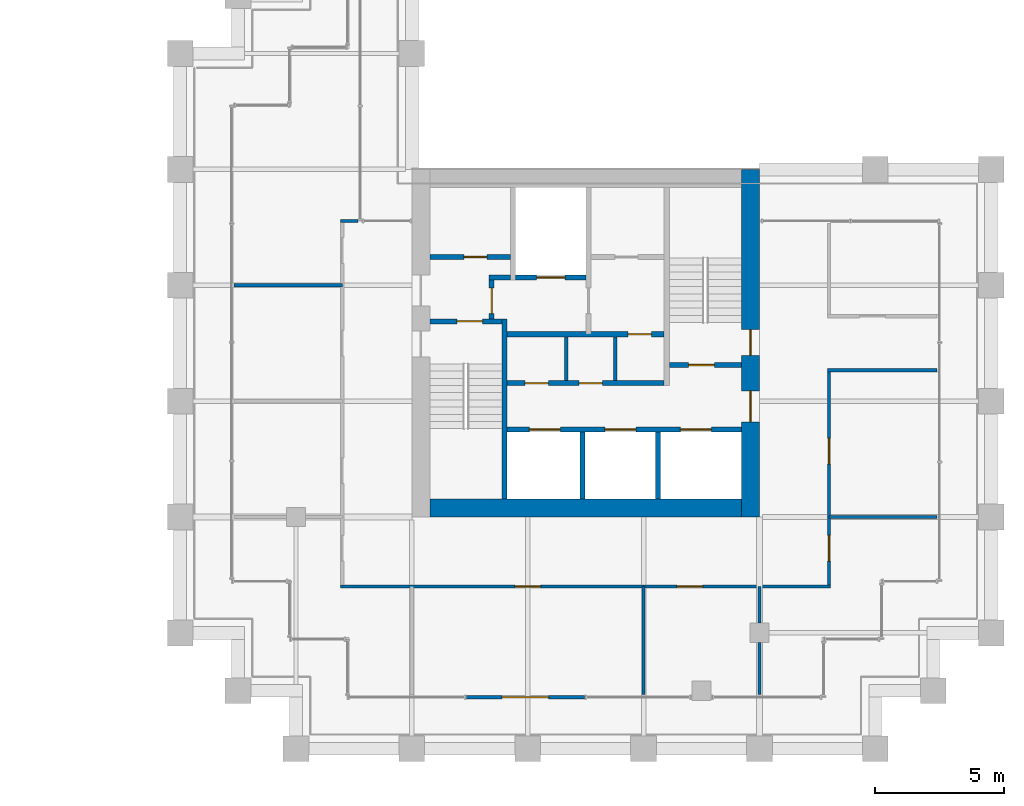
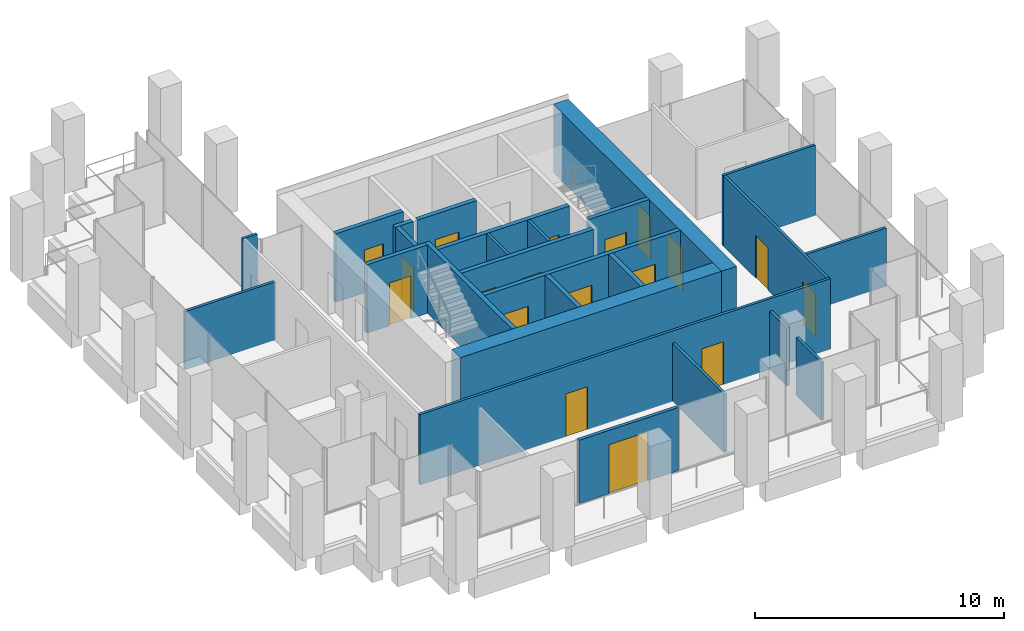
# One storey, part 43 of 47: 26 walls, 18 doors, 18 openings.
"""IFC4 building model written with IfcOpenShell, lengths in metres."""

from ifc_helpers import new_model, si_unit, direction, frame, frame_2d, origin, place, context, subcontext, project, spatial, rectangle, extrude, material, layer, layer_set, type_object, element, fill, save


model = new_model("IFC4")

# Units and contexts
model_context = context("Model", 3, precision=1e-05, world=origin(), true_north=direction((0.0, 1.0)))
body_context = subcontext(model_context, "Body", "Model", "MODEL_VIEW")
ifc_project = project(units=[si_unit("LENGTHUNIT", "METRE"), si_unit("AREAUNIT", "SQUARE_METRE"), si_unit("VOLUMEUNIT", "CUBIC_METRE"), si_unit("PLANEANGLEUNIT", "RADIAN"), si_unit("MASSUNIT", "GRAM", prefix="KILO")], contexts=[model_context])

# Site, building, storey
site_placement = place(None, origin())
site = spatial("IfcSite", under=ifc_project, at=site_placement, CompositionType="ELEMENT")
building_placement = place(site_placement, origin())
building = spatial("IfcBuilding", under=site, at=building_placement, Name="Altepetl Exchange Towers", CompositionType="ELEMENT")
storey_placement = place(building_placement, frame((0.0, 0.0, 99.199951171875)))
storey = spatial("IfcBuildingStorey", under=building, at=storey_placement, Name="L24", CompositionType="ELEMENT", Elevation=99.199951171875)

# Wall, openings, doors
ifc_material_1 = material(Name="Concrete C70/85", Category="concrete")
ifc_layer_1 = layer(ifc_material_1, 0.699951171875)
ifc_layer_set_1 = layer_set([ifc_layer_1], Name="Concrete C70/85")
wall_type_1 = type_object("IfcWallType", Name="Core wall 700 reinforced concrete", PredefinedType="SHEAR", material=ifc_layer_set_1)
wall_1_placement = place(storey_placement, frame((116.64990234375, 36.0, 0.0), z_axis=(0.0, 0.0, 1.0), x_axis=(0.0, 1.0, 0.0)))
wall_1 = element("IfcWall", 1, at=wall_1_placement, inside=storey, type_object=wall_type_1, Name="wall:B:L24:K-coreE", PredefinedType="SHEAR", context=body_context, shape_type="SweptSolid", body=[
    extrude(rectangle(XDim=13.5, YDim=0.699951171875, at=frame_2d((6.75, 0.0))), origin(), (0.0, 0.0, 1.0), 3.35009765625),
])
opening_1_placement = place(wall_1_placement, frame((3.699951171875, 0.0, 0.0)))
opening_1 = element("IfcOpeningElement", 2, at=opening_1_placement, cuts=wall_1, Name="Opening L24.B61", PredefinedType="OPENING", context=body_context, shape_type="SweptSolid", body=[
    extrude(rectangle(XDim=1.199951171875, YDim=2.10009765625, at=frame_2d((0.60009765625, 1.050048828125))), frame((0.0, 0.35986328125, 0.0), z_axis=(0.0, -1.0, 0.0), x_axis=(1.0, 0.0, 0.0)), (0.0, 0.0, 1.0), 0.719970703125),
])
opening_2_placement = place(wall_1_placement, frame((6.27490234375, 0.0, 0.0)))
opening_2 = element("IfcOpeningElement", 3, at=opening_2_placement, cuts=wall_1, Name="Opening L24.B65", PredefinedType="OPENING", context=body_context, shape_type="SweptSolid", body=[
    extrude(rectangle(XDim=1.0, YDim=2.10009765625, at=frame_2d((0.5, 1.050048828125))), frame((0.0, 0.35986328125, 0.0), z_axis=(0.0, -1.0, 0.0), x_axis=(1.0, 0.0, 0.0)), (0.0, 0.0, 1.0), 0.719970703125),
])
ifc_material_2 = material(Name="Steel and timber fire door", Category="steel")
door_type_1 = type_object("IfcDoorType", Name="Fire door 1000 x 2100 stair and lobby", OperationType="SINGLE_SWING_LEFT", PredefinedType="DOOR", material=ifc_material_2)
door_1_placement = place(opening_2_placement, origin())
door_1 = element("IfcDoor", 4, at=door_1_placement, inside=storey, type_object=door_type_1, Name="door:B:L24:K-dS2x", OperationType="SINGLE_SWING_LEFT", OverallHeight=2.10009765625, OverallWidth=1.0, PredefinedType="DOOR", context=body_context, shape_type="SweptSolid", body=[
    extrude(rectangle(XDim=1.0, YDim=2.10009765625, at=frame_2d((0.5, 1.050048828125))), frame((0.0, 0.02490234375, 0.0), z_axis=(0.0, -1.0, 0.0), x_axis=(1.0, 0.0, 0.0)), (0.0, 0.0, 1.0), 0.050048828125),
])
fill(opening_2, door_1)
door_type_2 = type_object("IfcDoorType", Name="Fire door 1200 x 2100 lobby entry", OperationType="SINGLE_SWING_LEFT", PredefinedType="DOOR", material=ifc_material_2)
door_2_placement = place(opening_1_placement, origin())
door_2 = element("IfcDoor", 5, at=door_2_placement, inside=storey, type_object=door_type_2, Name="door:B:L24:K-dLSE", OperationType="SINGLE_SWING_RIGHT", OverallHeight=2.10009765625, OverallWidth=1.199951171875, PredefinedType="DOOR", context=body_context, shape_type="SweptSolid", body=[
    extrude(rectangle(XDim=1.199951171875, YDim=2.10009765625, at=frame_2d((0.60009765625, 1.050048828125))), frame((0.0, 0.02490234375, 0.0), z_axis=(0.0, -1.0, 0.0), x_axis=(1.0, 0.0, 0.0)), (0.0, 0.0, 1.0), 0.050048828125),
])
fill(opening_1, door_2)

# Wall
wall_2_placement = place(storey_placement, frame((104.199951171875, 36.35009765625, 0.0)))
element("IfcWall", 6, at=wall_2_placement, inside=storey, type_object=wall_type_1, Name="wall:B:L24:K-coreS", PredefinedType="SHEAR", context=body_context, shape_type="SweptSolid", body=[
    extrude(rectangle(XDim=12.10009765625, YDim=0.699951171875, at=frame_2d((6.050048828125, 0.0))), origin(), (0.0, 0.0, 1.0), 3.35009765625),
])

# Wall, opening, door
ifc_material_3 = material(Name="Aluminium composite cladding", Category="aluminium")
ifc_layer_2 = layer(ifc_material_3, 0.14990234375)
ifc_layer_set_2 = layer_set([ifc_layer_2], Name="Aluminium composite cladding")
wall_type_2 = type_object("IfcWallType", Name="Infill wall 150 aluminium panel", PredefinedType="SOLIDWALL", material=ifc_layer_set_2)
wall_3_placement = place(storey_placement, frame((105.606201171875, 29.0, 0.0)))
wall_3 = element("IfcWall", 7, at=wall_3_placement, inside=storey, type_object=wall_type_2, Name="Loggia door bay wall", PredefinedType="SOLIDWALL", context=body_context, shape_type="SweptSolid", body=[
    extrude(rectangle(XDim=4.606201171875, YDim=0.14990234375, at=frame_2d((2.30322265625, 0.0))), origin(), (0.0, 0.0, 1.0), 3.10009765625),
])
opening_3_placement = place(wall_3_placement, frame((1.403076171875, 0.0, 0.0)))
opening_3 = element("IfcOpeningElement", 8, at=opening_3_placement, cuts=wall_3, Name="Opening L24.B90", PredefinedType="OPENING", context=body_context, shape_type="SweptSolid", body=[
    extrude(rectangle(XDim=1.800048828125, YDim=2.39990234375, at=frame_2d((0.89990234375, 1.199951171875))), frame((0.0, 0.0849609375, 0.0), z_axis=(0.0, -1.0, 0.0), x_axis=(1.0, 0.0, 0.0)), (0.0, 0.0, 1.0), 0.169921875),
])
ifc_material_4 = material(Name="Aluminium 6063-T6 and glass", Category="aluminium")
door_type_3 = type_object("IfcDoorType", Name="Glazed door pair 1800x2400", OperationType="DOUBLE_DOOR_DOUBLE_SWING", PredefinedType="NOTDEFINED", material=ifc_material_4)
door_3_placement = place(opening_3_placement, frame((1.800048828125, 0.0, 0.0), x_axis=(-1.0, 0.0, 0.0)))
door_3 = element("IfcDoor", 9, at=door_3_placement, inside=storey, type_object=door_type_3, Name="Loggia door", OperationType="DOUBLE_DOOR_DOUBLE_SWING", OverallHeight=2.39990234375, OverallWidth=1.800048828125, PredefinedType="NOTDEFINED", context=body_context, shape_type="SweptSolid", body=[
    extrude(rectangle(XDim=1.800048828125, YDim=2.39990234375, at=frame_2d((0.89990234375, 1.199951171875))), frame((0.0, 0.02490234375, 0.0), z_axis=(0.0, -1.0, 0.0), x_axis=(1.0, 0.0, 0.0)), (0.0, 0.0, 1.0), 0.050048828125),
])
fill(opening_3, door_3)

# Wall
ifc_material_5 = material(Name="Concrete blockwork", Category="masonry")
ifc_layer_3 = layer(ifc_material_5, 0.199951171875)
ifc_layer_set_3 = layer_set([ifc_layer_3], Name="Concrete blockwork")
wall_type_3 = type_object("IfcWallType", Name="Lobby wall 200 blockwork", PredefinedType="PARTITIONING", material=ifc_layer_set_3)
wall_4_placement = place(storey_placement, frame((106.5, 45.300048828125, 0.0)))
element("IfcWall", 10, at=wall_4_placement, inside=storey, type_object=wall_type_3, Name="wall:B:L24:K-ffNw", PredefinedType="PARTITIONING", context=body_context, shape_type="SweptSolid", body=[
    extrude(rectangle(XDim=0.833251953125, YDim=0.199951171875, at=frame_2d((0.41650390625, 0.0))), origin(), (0.0, 0.0, 1.0), 3.35009765625),
])

# Wall, opening, door
wall_5_placement = place(storey_placement, frame((106.60009765625, 43.699951171875, 0.0), z_axis=(0.0, 0.0, 1.0), x_axis=(0.0, 1.0, 0.0)))
wall_5 = element("IfcWall", 11, at=wall_5_placement, inside=storey, type_object=wall_type_3, Name="wall:B:L24:K-ffW", PredefinedType="PARTITIONING", context=body_context, shape_type="SweptSolid", body=[
    extrude(rectangle(XDim=1.5, YDim=0.199951171875, at=frame_2d((0.75, 0.0))), origin(), (0.0, 0.0, 1.0), 3.35009765625),
])
opening_4_placement = place(wall_5_placement, frame((0.199951171875, 0.0, 0.0)))
opening_4 = element("IfcOpeningElement", 12, at=opening_4_placement, cuts=wall_5, Name="Opening L24.B67", PredefinedType="OPENING", context=body_context, shape_type="SweptSolid", body=[
    extrude(rectangle(XDim=1.0, YDim=2.10009765625, at=frame_2d((0.5, 1.050048828125))), frame((0.0, 0.10986328125, 0.0), z_axis=(0.0, -1.0, 0.0), x_axis=(1.0, 0.0, 0.0)), (0.0, 0.0, 1.0), 0.219970703125),
])
door_4_placement = place(opening_4_placement, frame((1.0, 0.0, 0.0), x_axis=(-1.0, 0.0, 0.0)))
door_4 = element("IfcDoor", 13, at=door_4_placement, inside=storey, type_object=door_type_1, Name="door:B:L24:K-dffW", OperationType="SINGLE_SWING_LEFT", OverallHeight=2.10009765625, OverallWidth=1.0, PredefinedType="DOOR", context=body_context, shape_type="SweptSolid", body=[
    extrude(rectangle(XDim=1.0, YDim=2.10009765625, at=frame_2d((0.5, 1.050048828125))), frame((0.0, 0.02490234375, 0.0), z_axis=(0.0, -1.0, 0.0), x_axis=(1.0, 0.0, 0.0)), (0.0, 0.0, 1.0), 0.050048828125),
])
fill(opening_4, door_4)

wall_6_placement = place(storey_placement, frame((107.199951171875, 43.10009765625, 0.0)))
wall_6 = element("IfcWall", 14, at=wall_6_placement, inside=storey, type_object=wall_type_3, Name="wall:B:L24:K-zoneN", PredefinedType="PARTITIONING", context=body_context, shape_type="SweptSolid", body=[
    extrude(rectangle(XDim=6.10009765625, YDim=0.199951171875, at=frame_2d((3.050048828125, 0.0))), origin(), (0.0, 0.0, 1.0), 3.35009765625),
])
opening_5_placement = place(wall_6_placement, frame((4.699951171875, 0.0, 0.0)))
opening_5 = element("IfcOpeningElement", 15, at=opening_5_placement, cuts=wall_6, Name="Opening L24.B72", PredefinedType="OPENING", context=body_context, shape_type="SweptSolid", body=[
    extrude(rectangle(XDim=0.89990234375, YDim=2.10009765625, at=frame_2d((0.449951171875, 1.050048828125))), frame((0.0, 0.10986328125, 0.0), z_axis=(0.0, -1.0, 0.0), x_axis=(1.0, 0.0, 0.0)), (0.0, 0.0, 1.0), 0.219970703125),
])
door_type_4 = type_object("IfcDoorType", Name="Fire door 900 x 2100 service room", OperationType="SINGLE_SWING_LEFT", PredefinedType="DOOR", material=ifc_material_2)
door_5_placement = place(opening_5_placement, frame((0.89990234375, 0.0, 0.0), x_axis=(-1.0, 0.0, 0.0)))
door_5 = element("IfcDoor", 16, at=door_5_placement, inside=storey, type_object=door_type_4, Name="door:B:L24:K-dz3", OperationType="SINGLE_SWING_RIGHT", OverallHeight=2.10009765625, OverallWidth=0.89990234375, PredefinedType="DOOR", context=body_context, shape_type="SweptSolid", body=[
    extrude(rectangle(XDim=0.89990234375, YDim=2.10009765625, at=frame_2d((0.449951171875, 1.050048828125))), frame((0.0, 0.02490234375, 0.0), z_axis=(0.0, -1.0, 0.0), x_axis=(1.0, 0.0, 0.0)), (0.0, 0.0, 1.0), 0.050048828125),
])
fill(opening_5, door_5)

# Wall, openings, doors
wall_7_placement = place(storey_placement, frame((107.199951171875, 41.199951171875, 0.0)))
wall_7 = element("IfcWall", 17, at=wall_7_placement, inside=storey, type_object=wall_type_3, Name="wall:B:L24:K-zoneS", PredefinedType="PARTITIONING", context=body_context, shape_type="SweptSolid", body=[
    extrude(rectangle(XDim=6.10009765625, YDim=0.199951171875, at=frame_2d((3.050048828125, 0.0))), origin(), (0.0, 0.0, 1.0), 3.35009765625),
])
opening_6_placement = place(wall_7_placement, frame((0.699951171875, 0.0, 0.0)))
opening_6 = element("IfcOpeningElement", 18, at=opening_6_placement, cuts=wall_7, Name="Opening L24.B70", PredefinedType="OPENING", context=body_context, shape_type="SweptSolid", body=[
    extrude(rectangle(XDim=0.89990234375, YDim=2.10009765625, at=frame_2d((0.449951171875, 1.050048828125))), frame((0.0, 0.10986328125, 0.0), z_axis=(0.0, -1.0, 0.0), x_axis=(1.0, 0.0, 0.0)), (0.0, 0.0, 1.0), 0.219970703125),
])
opening_7_placement = place(wall_7_placement, frame((2.800048828125, 0.0, 0.0)))
opening_7 = element("IfcOpeningElement", 19, at=opening_7_placement, cuts=wall_7, Name="Opening L24.B71", PredefinedType="OPENING", context=body_context, shape_type="SweptSolid", body=[
    extrude(rectangle(XDim=0.89990234375, YDim=2.10009765625, at=frame_2d((0.449951171875, 1.050048828125))), frame((0.0, 0.10986328125, 0.0), z_axis=(0.0, -1.0, 0.0), x_axis=(1.0, 0.0, 0.0)), (0.0, 0.0, 1.0), 0.219970703125),
])
door_6_placement = place(opening_6_placement, origin())
door_6 = element("IfcDoor", 20, at=door_6_placement, inside=storey, type_object=door_type_4, Name="door:B:L24:K-dz1", OperationType="SINGLE_SWING_RIGHT", OverallHeight=2.10009765625, OverallWidth=0.89990234375, PredefinedType="DOOR", context=body_context, shape_type="SweptSolid", body=[
    extrude(rectangle(XDim=0.89990234375, YDim=2.10009765625, at=frame_2d((0.449951171875, 1.050048828125))), frame((0.0, 0.02490234375, 0.0), z_axis=(0.0, -1.0, 0.0), x_axis=(1.0, 0.0, 0.0)), (0.0, 0.0, 1.0), 0.050048828125),
])
fill(opening_6, door_6)
door_7_placement = place(opening_7_placement, origin())
door_7 = element("IfcDoor", 21, at=door_7_placement, inside=storey, type_object=door_type_4, Name="door:B:L24:K-dz2", OperationType="SINGLE_SWING_RIGHT", OverallHeight=2.10009765625, OverallWidth=0.89990234375, PredefinedType="DOOR", context=body_context, shape_type="SweptSolid", body=[
    extrude(rectangle(XDim=0.89990234375, YDim=2.10009765625, at=frame_2d((0.449951171875, 1.050048828125))), frame((0.0, 0.02490234375, 0.0), z_axis=(0.0, -1.0, 0.0), x_axis=(1.0, 0.0, 0.0)), (0.0, 0.0, 1.0), 0.050048828125),
])
fill(opening_7, door_7)

# Walls
ifc_material_6 = material(Name="Gypsum board on steel studs", Category="steel")
ifc_layer_4 = layer(ifc_material_6, 0.125)
ifc_layer_set_4 = layer_set([ifc_layer_4], Name="Gypsum board on steel studs")
wall_type_4 = type_object("IfcWallType", Name="Partition 125 gypsum board on steel studs", PredefinedType="PARTITIONING", material=ifc_layer_set_4)
for number, where, z_axis, x_axis, name in (
    (22, (109.5, 41.300048828125, 0.0), (0.0, 0.0, 1.0), (0.0, 1.0, 0.0), "wall:B:L24:K-zp1"),
    (23, (111.39990234375, 41.300048828125, 0.0), (0.0, 0.0, 1.0), (0.0, 1.0, 0.0), "wall:B:L24:K-zp2"),
):
    element("IfcWall", number, at=place(storey_placement, frame(where, z_axis=z_axis, x_axis=x_axis)), inside=storey, type_object=wall_type_4, Name=name, PredefinedType="PARTITIONING", context=body_context, shape_type="SweptSolid", body=[
        extrude(rectangle(XDim=1.699951171875, YDim=0.125, at=frame_2d((0.85009765625, 0.0))), origin(), (0.0, 0.0, 1.0), 3.35009765625),
    ])

# Wall, openings, doors
wall_8_placement = place(storey_placement, frame((100.737548828125, 33.300048828125, 0.0)))
wall_8 = element("IfcWall", 24, at=wall_8_placement, inside=storey, type_object=wall_type_4, Name="wall:B:L24:P01", PredefinedType="PARTITIONING", context=body_context, shape_type="SweptSolid", body=[
    extrude(rectangle(XDim=19.02490234375, YDim=0.125, at=frame_2d((9.512451171875, 0.0))), origin(), (0.0, 0.0, 1.0), 3.449951171875),
])
opening_8_placement = place(wall_8_placement, frame((6.762451171875, 0.0, 0.0)))
opening_8 = element("IfcOpeningElement", 25, at=opening_8_placement, cuts=wall_8, Name="Opening L24.B04", PredefinedType="OPENING", context=body_context, shape_type="SweptSolid", body=[
    extrude(rectangle(XDim=1.0, YDim=2.10009765625, at=frame_2d((0.5, 1.050048828125))), frame((0.0, 0.072509765625, 0.0), z_axis=(0.0, -1.0, 0.0), x_axis=(1.0, 0.0, 0.0)), (0.0, 0.0, 1.0), 0.14501953125),
])
opening_9_placement = place(wall_8_placement, frame((13.0576171875, 0.0, 0.0)))
opening_9 = element("IfcOpeningElement", 26, at=opening_9_placement, cuts=wall_8, Name="Opening L24.B05", PredefinedType="OPENING", context=body_context, shape_type="SweptSolid", body=[
    extrude(rectangle(XDim=1.0, YDim=2.10009765625, at=frame_2d((0.5, 1.050048828125))), frame((0.0, 0.072509765625, 0.0), z_axis=(0.0, -1.0, 0.0), x_axis=(1.0, 0.0, 0.0)), (0.0, 0.0, 1.0), 0.14501953125),
])
door_type_5 = type_object("IfcDoorType", Name="Fire door 1000 x 2100 single leaf", OperationType="SINGLE_SWING_LEFT", PredefinedType="DOOR", material=ifc_material_2)
door_8_placement = place(opening_8_placement, frame((1.0, 0.0, 0.0), x_axis=(-1.0, 0.0, 0.0)))
door_8 = element("IfcDoor", 27, at=door_8_placement, inside=storey, type_object=door_type_5, Name="door:B:L24:04", OperationType="SINGLE_SWING_RIGHT", OverallHeight=2.10009765625, OverallWidth=1.0, PredefinedType="DOOR", context=body_context, shape_type="SweptSolid", body=[
    extrude(rectangle(XDim=1.0, YDim=2.10009765625, at=frame_2d((0.5, 1.050048828125))), frame((0.0, 0.02490234375, 0.0), z_axis=(0.0, -1.0, 0.0), x_axis=(1.0, 0.0, 0.0)), (0.0, 0.0, 1.0), 0.050048828125),
])
fill(opening_8, door_8)
door_9_placement = place(opening_9_placement, frame((1.0, 0.0, 0.0), x_axis=(-1.0, 0.0, 0.0)))
door_9 = element("IfcDoor", 28, at=door_9_placement, inside=storey, type_object=door_type_5, Name="door:B:L24:05", OperationType="SINGLE_SWING_RIGHT", OverallHeight=2.10009765625, OverallWidth=1.0, PredefinedType="DOOR", context=body_context, shape_type="SweptSolid", body=[
    extrude(rectangle(XDim=1.0, YDim=2.10009765625, at=frame_2d((0.5, 1.050048828125))), frame((0.0, 0.02490234375, 0.0), z_axis=(0.0, -1.0, 0.0), x_axis=(1.0, 0.0, 0.0)), (0.0, 0.0, 1.0), 0.050048828125),
])
fill(opening_9, door_9)

# Walls
wall_9_placement = place(storey_placement, frame((119.699951171875, 36.0, 0.0)))
element("IfcWall", 29, at=wall_9_placement, inside=storey, type_object=wall_type_4, Name="wall:B:L24:P04", PredefinedType="PARTITIONING", context=body_context, shape_type="SweptSolid", body=[
    extrude(rectangle(XDim=4.199951171875, YDim=0.125, at=frame_2d((2.10009765625, 0.0))), origin(), (0.0, 0.0, 1.0), 2.85107421875),
])
wall_10_placement = place(storey_placement, frame((119.637451171875, 41.699951171875, 0.0)))
element("IfcWall", 30, at=wall_10_placement, inside=storey, type_object=wall_type_4, Name="wall:B:L24:P06", PredefinedType="PARTITIONING", context=body_context, shape_type="SweptSolid", body=[
    extrude(rectangle(XDim=4.262451171875, YDim=0.125, at=frame_2d((2.13134765625, 0.0))), origin(), (0.0, 0.0, 1.0), 3.449951171875),
])
wall_11_placement = place(storey_placement, frame((96.60009765625, 45.0, 0.0)))
element("IfcWall", 31, at=wall_11_placement, inside=storey, type_object=wall_type_4, Name="wall:B:L24:P08", PredefinedType="PARTITIONING", context=body_context, shape_type="SweptSolid", body=[
    extrude(rectangle(XDim=4.199951171875, YDim=0.125, at=frame_2d((2.10009765625, 0.0))), origin(), (0.0, 0.0, 1.0), 2.85107421875),
])
wall_12_placement = place(storey_placement, frame((100.737548828125, 47.5, 0.0)))
element("IfcWall", 32, at=wall_12_placement, inside=storey, type_object=wall_type_4, Name="wall:B:L24:P09", PredefinedType="PARTITIONING", context=body_context, shape_type="SweptSolid", body=[
    extrude(rectangle(XDim=0.662353515625, YDim=0.125, at=frame_2d((0.3310546875, 0.0))), origin(), (0.0, 0.0, 1.0), 3.449951171875),
])
wall_13_placement = place(storey_placement, frame((112.5, 29.10009765625, 0.0), z_axis=(0.0, 0.0, 1.0), x_axis=(0.0, 1.0, 0.0)))
element("IfcWall", 33, at=wall_13_placement, inside=storey, type_object=wall_type_4, Name="wall:B:L24:P12", PredefinedType="PARTITIONING", context=body_context, shape_type="SweptSolid", body=[
    extrude(rectangle(XDim=4.199951171875, YDim=0.125, at=frame_2d((2.10009765625, 0.0))), origin(), (0.0, 0.0, 1.0), 2.85107421875),
])
wall_14_placement = place(storey_placement, frame((117.0, 29.10009765625, 0.0), z_axis=(0.0, 0.0, 1.0), x_axis=(0.0, 1.0, 0.0)))
element("IfcWall", 34, at=wall_14_placement, inside=storey, type_object=wall_type_4, Name="wall:B:L24:P13", PredefinedType="PARTITIONING", context=body_context, shape_type="SweptSolid", body=[
    extrude(rectangle(XDim=2.02490234375, YDim=0.125, at=frame_2d((1.012451171875, 0.0))), origin(), (0.0, 0.0, 1.0), 2.842041015625),
])
wall_15_placement = place(storey_placement, frame((117.0, 31.875, 0.0), z_axis=(0.0, 0.0, 1.0), x_axis=(0.0, 1.0, 0.0)))
element("IfcWall", 35, at=wall_15_placement, inside=storey, type_object=wall_type_4, Name="wall:B:L24:P14", PredefinedType="PARTITIONING", context=body_context, shape_type="SweptSolid", body=[
    extrude(rectangle(XDim=1.425048828125, YDim=0.125, at=frame_2d((0.71240234375, 0.0))), origin(), (0.0, 0.0, 1.0), 2.842041015625),
])

# Wall, openings, doors
wall_16_placement = place(storey_placement, frame((119.699951171875, 33.362548828125, 0.0), z_axis=(0.0, 0.0, 1.0), x_axis=(0.0, 1.0, 0.0)))
wall_16 = element("IfcWall", 36, at=wall_16_placement, inside=storey, type_object=wall_type_4, Name="wall:B:L24:P15", PredefinedType="PARTITIONING", context=body_context, shape_type="SweptSolid", body=[
    extrude(rectangle(XDim=8.27490234375, YDim=0.125, at=frame_2d((4.137451171875, 0.0))), origin(), (0.0, 0.0, 1.0), 3.449951171875),
])
opening_10_placement = place(wall_16_placement, frame((0.927490234375, 0.0, 0.0)))
opening_10 = element("IfcOpeningElement", 37, at=opening_10_placement, cuts=wall_16, Name="Opening L24.B06", PredefinedType="OPENING", context=body_context, shape_type="SweptSolid", body=[
    extrude(rectangle(XDim=1.0, YDim=2.10009765625, at=frame_2d((0.5, 1.050048828125))), frame((0.0, 0.072509765625, 0.0), z_axis=(0.0, -1.0, 0.0), x_axis=(1.0, 0.0, 0.0)), (0.0, 0.0, 1.0), 0.14501953125),
])
opening_11_placement = place(wall_16_placement, frame((4.6875, 0.0, 0.0)))
opening_11 = element("IfcOpeningElement", 38, at=opening_11_placement, cuts=wall_16, Name="Opening L24.B07", PredefinedType="OPENING", context=body_context, shape_type="SweptSolid", body=[
    extrude(rectangle(XDim=1.0, YDim=2.10009765625, at=frame_2d((0.5, 1.050048828125))), frame((0.0, 0.072509765625, 0.0), z_axis=(0.0, -1.0, 0.0), x_axis=(1.0, 0.0, 0.0)), (0.0, 0.0, 1.0), 0.14501953125),
])
door_10_placement = place(opening_10_placement, origin())
door_10 = element("IfcDoor", 39, at=door_10_placement, inside=storey, type_object=door_type_5, Name="door:B:L24:06", OperationType="SINGLE_SWING_LEFT", OverallHeight=2.10009765625, OverallWidth=1.0, PredefinedType="DOOR", context=body_context, shape_type="SweptSolid", body=[
    extrude(rectangle(XDim=1.0, YDim=2.10009765625, at=frame_2d((0.5, 1.050048828125))), frame((0.0, 0.02490234375, 0.0), z_axis=(0.0, -1.0, 0.0), x_axis=(1.0, 0.0, 0.0)), (0.0, 0.0, 1.0), 0.050048828125),
])
fill(opening_10, door_10)
door_11_placement = place(opening_11_placement, frame((1.0, 0.0, 0.0), x_axis=(-1.0, 0.0, 0.0)))
door_11 = element("IfcDoor", 40, at=door_11_placement, inside=storey, type_object=door_type_5, Name="door:B:L24:07", OperationType="SINGLE_SWING_LEFT", OverallHeight=2.10009765625, OverallWidth=1.0, PredefinedType="DOOR", context=body_context, shape_type="SweptSolid", body=[
    extrude(rectangle(XDim=1.0, YDim=2.10009765625, at=frame_2d((0.5, 1.050048828125))), frame((0.0, 0.02490234375, 0.0), z_axis=(0.0, -1.0, 0.0), x_axis=(1.0, 0.0, 0.0)), (0.0, 0.0, 1.0), 0.050048828125),
])
fill(opening_11, door_11)

# Walls
ifc_material_7 = material(Name="Concrete C40/50", Category="concrete")
ifc_layer_5 = layer(ifc_material_7, 0.199951171875)
ifc_layer_set_5 = layer_set([ifc_layer_5], Name="Concrete C40/50")
wall_type_5 = type_object("IfcWallType", Name="Shaft wall 200 reinforced concrete", PredefinedType="SHEAR", material=ifc_layer_set_5)
for number, where, z_axis, x_axis, name in (
    (41, (110.13330078125, 36.699951171875, 0.0), (0.0, 0.0, 1.0), (0.0, 1.0, 0.0), "wall:B:L24:K-divS1"),
    (42, (113.066650390625, 36.699951171875, 0.0), (0.0, 0.0, 1.0), (0.0, 1.0, 0.0), "wall:B:L24:K-divS2"),
):
    element("IfcWall", number, at=place(storey_placement, frame(where, z_axis=z_axis, x_axis=x_axis)), inside=storey, type_object=wall_type_5, Name=name, PredefinedType="SHEAR", context=body_context, shape_type="SweptSolid", body=[
        extrude(rectangle(XDim=2.60009765625, YDim=0.199951171875, at=frame_2d((1.300048828125, 0.0))), origin(), (0.0, 0.0, 1.0), 3.35009765625),
    ])

# Wall, opening, door
wall_17_placement = place(storey_placement, frame((104.199951171875, 46.10009765625, 0.0)))
wall_17 = element("IfcWall", 43, at=wall_17_placement, inside=storey, type_object=wall_type_5, Name="wall:B:L24:K-frontNa", PredefinedType="SHEAR", context=body_context, shape_type="SweptSolid", body=[
    extrude(rectangle(XDim=3.13330078125, YDim=0.199951171875, at=frame_2d((1.566650390625, 0.0))), origin(), (0.0, 0.0, 1.0), 3.35009765625),
])
opening_12_placement = place(wall_17_placement, frame((1.316650390625, 0.0, 0.0)))
opening_12 = element("IfcOpeningElement", 44, at=opening_12_placement, cuts=wall_17, Name="Opening L24.B68", PredefinedType="OPENING", context=body_context, shape_type="SweptSolid", body=[
    extrude(rectangle(XDim=0.89990234375, YDim=2.10009765625, at=frame_2d((0.449951171875, 1.050048828125))), frame((0.0, 0.10986328125, 0.0), z_axis=(0.0, -1.0, 0.0), x_axis=(1.0, 0.0, 0.0)), (0.0, 0.0, 1.0), 0.219970703125),
])
door_12_placement = place(opening_12_placement, origin())
door_12 = element("IfcDoor", 45, at=door_12_placement, inside=storey, type_object=door_type_4, Name="door:B:L24:K-dslotN0", OperationType="SINGLE_SWING_RIGHT", OverallHeight=2.10009765625, OverallWidth=0.89990234375, PredefinedType="DOOR", context=body_context, shape_type="SweptSolid", body=[
    extrude(rectangle(XDim=0.89990234375, YDim=2.10009765625, at=frame_2d((0.449951171875, 1.050048828125))), frame((0.0, 0.02490234375, 0.0), z_axis=(0.0, -1.0, 0.0), x_axis=(1.0, 0.0, 0.0)), (0.0, 0.0, 1.0), 0.050048828125),
])
fill(opening_12, door_12)

wall_18_placement = place(storey_placement, frame((107.533203125, 45.300048828125, 0.0)))
wall_18 = element("IfcWall", 46, at=wall_18_placement, inside=storey, type_object=wall_type_5, Name="wall:B:L24:K-frontNd", PredefinedType="SHEAR", context=body_context, shape_type="SweptSolid", body=[
    extrude(rectangle(XDim=2.7333984375, YDim=0.199951171875, at=frame_2d((1.36669921875, 0.0))), origin(), (0.0, 0.0, 1.0), 3.35009765625),
])
opening_13_placement = place(wall_18_placement, frame((0.816650390625, 0.0, 0.0)))
opening_13 = element("IfcOpeningElement", 47, at=opening_13_placement, cuts=wall_18, Name="Opening L24.B73", PredefinedType="OPENING", context=body_context, shape_type="SweptSolid", body=[
    extrude(rectangle(XDim=1.10009765625, YDim=2.10009765625, at=frame_2d((0.550048828125, 1.050048828125))), frame((0.0, 0.10986328125, 0.0), z_axis=(0.0, -1.0, 0.0), x_axis=(1.0, 0.0, 0.0)), (0.0, 0.0, 1.0), 0.219970703125),
])
ifc_material_8 = material(Name="Stainless steel", Category="steel")
door_type_6 = type_object("IfcDoorType", Name="Lift landing door 1100 x 2100", OperationType="SLIDING_TO_LEFT", PredefinedType="DOOR", material=ifc_material_8)
door_13_placement = place(opening_13_placement, origin())
door_13 = element("IfcDoor", 48, at=door_13_placement, inside=storey, type_object=door_type_6, Name="Landing door FFL1", OperationType="SLIDING_TO_LEFT", OverallHeight=2.10009765625, OverallWidth=1.10009765625, PredefinedType="DOOR", context=body_context, shape_type="SweptSolid", body=[
    extrude(rectangle(XDim=1.10009765625, YDim=2.10009765625, at=frame_2d((0.550048828125, 1.050048828125))), frame((0.0, 0.02490234375, 0.0), z_axis=(0.0, -1.0, 0.0), x_axis=(1.0, 0.0, 0.0)), (0.0, 0.0, 1.0), 0.050048828125),
])
fill(opening_13, door_13)

# Wall, openings, doors
wall_19_placement = place(storey_placement, frame((107.199951171875, 39.39990234375, 0.0)))
wall_19 = element("IfcWall", 49, at=wall_19_placement, inside=storey, type_object=wall_type_5, Name="wall:B:L24:K-frontS", PredefinedType="SHEAR", context=body_context, shape_type="SweptSolid", body=[
    extrude(rectangle(XDim=9.10009765625, YDim=0.199951171875, at=frame_2d((4.550048828125, 0.0))), origin(), (0.0, 0.0, 1.0), 3.35009765625),
])
opening_14_placement = place(wall_19_placement, frame((0.86669921875, 0.0, 0.0)))
opening_14 = element("IfcOpeningElement", 50, at=opening_14_placement, cuts=wall_19, Name="Opening L24.B74", PredefinedType="OPENING", context=body_context, shape_type="SweptSolid", body=[
    extrude(rectangle(XDim=1.199951171875, YDim=2.10009765625, at=frame_2d((0.60009765625, 1.050048828125))), frame((0.0, 0.10986328125, 0.0), z_axis=(0.0, -1.0, 0.0), x_axis=(1.0, 0.0, 0.0)), (0.0, 0.0, 1.0), 0.219970703125),
])
opening_15_placement = place(wall_19_placement, frame((3.800048828125, 0.0, 0.0)))
opening_15 = element("IfcOpeningElement", 51, at=opening_15_placement, cuts=wall_19, Name="Opening L24.B75", PredefinedType="OPENING", context=body_context, shape_type="SweptSolid", body=[
    extrude(rectangle(XDim=1.199951171875, YDim=2.10009765625, at=frame_2d((0.60009765625, 1.050048828125))), frame((0.0, 0.10986328125, 0.0), z_axis=(0.0, -1.0, 0.0), x_axis=(1.0, 0.0, 0.0)), (0.0, 0.0, 1.0), 0.219970703125),
])
opening_16_placement = place(wall_19_placement, frame((6.7333984375, 0.0, 0.0)))
opening_16 = element("IfcOpeningElement", 52, at=opening_16_placement, cuts=wall_19, Name="Opening L24.B76", PredefinedType="OPENING", context=body_context, shape_type="SweptSolid", body=[
    extrude(rectangle(XDim=1.199951171875, YDim=2.10009765625, at=frame_2d((0.60009765625, 1.050048828125))), frame((0.0, 0.10986328125, 0.0), z_axis=(0.0, -1.0, 0.0), x_axis=(1.0, 0.0, 0.0)), (0.0, 0.0, 1.0), 0.219970703125),
])
door_type_7 = type_object("IfcDoorType", Name="Lift landing door 1200 x 2100", OperationType="SLIDING_TO_LEFT", PredefinedType="DOOR", material=ifc_material_8)
door_14_placement = place(opening_14_placement, origin())
door_14 = element("IfcDoor", 53, at=door_14_placement, inside=storey, type_object=door_type_7, Name="Landing door P1", OperationType="SLIDING_TO_LEFT", OverallHeight=2.10009765625, OverallWidth=1.199951171875, PredefinedType="DOOR", context=body_context, shape_type="SweptSolid", body=[
    extrude(rectangle(XDim=1.199951171875, YDim=2.10009765625, at=frame_2d((0.60009765625, 1.050048828125))), frame((0.0, 0.02490234375, 0.0), z_axis=(0.0, -1.0, 0.0), x_axis=(1.0, 0.0, 0.0)), (0.0, 0.0, 1.0), 0.050048828125),
])
fill(opening_14, door_14)
door_15_placement = place(opening_15_placement, origin())
door_15 = element("IfcDoor", 54, at=door_15_placement, inside=storey, type_object=door_type_7, Name="Landing door P2", OperationType="SLIDING_TO_LEFT", OverallHeight=2.10009765625, OverallWidth=1.199951171875, PredefinedType="DOOR", context=body_context, shape_type="SweptSolid", body=[
    extrude(rectangle(XDim=1.199951171875, YDim=2.10009765625, at=frame_2d((0.60009765625, 1.050048828125))), frame((0.0, 0.02490234375, 0.0), z_axis=(0.0, -1.0, 0.0), x_axis=(1.0, 0.0, 0.0)), (0.0, 0.0, 1.0), 0.050048828125),
])
fill(opening_15, door_15)
door_16_placement = place(opening_16_placement, origin())
door_16 = element("IfcDoor", 55, at=door_16_placement, inside=storey, type_object=door_type_7, Name="Landing door P3", OperationType="SLIDING_TO_LEFT", OverallHeight=2.10009765625, OverallWidth=1.199951171875, PredefinedType="DOOR", context=body_context, shape_type="SweptSolid", body=[
    extrude(rectangle(XDim=1.199951171875, YDim=2.10009765625, at=frame_2d((0.60009765625, 1.050048828125))), frame((0.0, 0.02490234375, 0.0), z_axis=(0.0, -1.0, 0.0), x_axis=(1.0, 0.0, 0.0)), (0.0, 0.0, 1.0), 0.050048828125),
])
fill(opening_16, door_16)

# Wall
ifc_layer_6 = layer(ifc_material_7, 0.199951171875)
ifc_layer_set_6 = layer_set([ifc_layer_6], Name="Concrete C40/50")
wall_type_6 = type_object("IfcWallType", Name="Stair wall 200 reinforced concrete", PredefinedType="SHEAR", material=ifc_layer_set_6)
wall_20_placement = place(storey_placement, frame((107.10009765625, 36.699951171875, 0.0), z_axis=(0.0, 0.0, 1.0), x_axis=(0.0, 1.0, 0.0)))
element("IfcWall", 56, at=wall_20_placement, inside=storey, type_object=wall_type_6, Name="wall:B:L24:K-stS1E", PredefinedType="SHEAR", context=body_context, shape_type="SweptSolid", body=[
    extrude(rectangle(XDim=7.0, YDim=0.199951171875, at=frame_2d((3.5, 0.0))), origin(), (0.0, 0.0, 1.0), 3.35009765625),
])

# Wall, opening, door
wall_21_placement = place(storey_placement, frame((104.199951171875, 43.60009765625, 0.0)))
wall_21 = element("IfcWall", 57, at=wall_21_placement, inside=storey, type_object=wall_type_6, Name="wall:B:L24:K-stS1N", PredefinedType="SHEAR", context=body_context, shape_type="SweptSolid", body=[
    extrude(rectangle(XDim=2.800048828125, YDim=0.199951171875, at=frame_2d((1.39990234375, 0.0))), origin(), (0.0, 0.0, 1.0), 3.35009765625),
])
opening_17_placement = place(wall_21_placement, frame((1.050048828125, 0.0, 0.0)))
opening_17 = element("IfcOpeningElement", 58, at=opening_17_placement, cuts=wall_21, Name="Opening L24.B62", PredefinedType="OPENING", context=body_context, shape_type="SweptSolid", body=[
    extrude(rectangle(XDim=1.0, YDim=2.10009765625, at=frame_2d((0.5, 1.050048828125))), frame((0.0, 0.10986328125, 0.0), z_axis=(0.0, -1.0, 0.0), x_axis=(1.0, 0.0, 0.0)), (0.0, 0.0, 1.0), 0.219970703125),
])
door_17_placement = place(opening_17_placement, frame((1.0, 0.0, 0.0), x_axis=(-1.0, 0.0, 0.0)))
door_17 = element("IfcDoor", 59, at=door_17_placement, inside=storey, type_object=door_type_1, Name="door:B:L24:K-dS1in", OperationType="SINGLE_SWING_LEFT", OverallHeight=2.10009765625, OverallWidth=1.0, PredefinedType="DOOR", context=body_context, shape_type="SweptSolid", body=[
    extrude(rectangle(XDim=1.0, YDim=2.10009765625, at=frame_2d((0.5, 1.050048828125))), frame((0.0, 0.02490234375, 0.0), z_axis=(0.0, -1.0, 0.0), x_axis=(1.0, 0.0, 0.0)), (0.0, 0.0, 1.0), 0.050048828125),
])
fill(opening_17, door_17)

wall_22_placement = place(storey_placement, frame((113.5, 41.89990234375, 0.0)))
wall_22 = element("IfcWall", 60, at=wall_22_placement, inside=storey, type_object=wall_type_6, Name="wall:B:L24:K-stS2S", PredefinedType="SHEAR", context=body_context, shape_type="SweptSolid", body=[
    extrude(rectangle(XDim=2.800048828125, YDim=0.199951171875, at=frame_2d((1.39990234375, 0.0))), origin(), (0.0, 0.0, 1.0), 3.35009765625),
])
opening_18_placement = place(wall_22_placement, frame((0.75, 0.0, 0.0)))
opening_18 = element("IfcOpeningElement", 61, at=opening_18_placement, cuts=wall_22, Name="Opening L24.B64", PredefinedType="OPENING", context=body_context, shape_type="SweptSolid", body=[
    extrude(rectangle(XDim=1.0, YDim=2.10009765625, at=frame_2d((0.5, 1.050048828125))), frame((0.0, 0.10986328125, 0.0), z_axis=(0.0, -1.0, 0.0), x_axis=(1.0, 0.0, 0.0)), (0.0, 0.0, 1.0), 0.219970703125),
])
door_18_placement = place(opening_18_placement, origin())
door_18 = element("IfcDoor", 62, at=door_18_placement, inside=storey, type_object=door_type_1, Name="door:B:L24:K-dS2in", OperationType="SINGLE_SWING_RIGHT", OverallHeight=2.10009765625, OverallWidth=1.0, PredefinedType="DOOR", context=body_context, shape_type="SweptSolid", body=[
    extrude(rectangle(XDim=1.0, YDim=2.10009765625, at=frame_2d((0.5, 1.050048828125))), frame((0.0, 0.02490234375, 0.0), z_axis=(0.0, -1.0, 0.0), x_axis=(1.0, 0.0, 0.0)), (0.0, 0.0, 1.0), 0.050048828125),
])
fill(opening_18, door_18)

save(model, "model.ifc")
